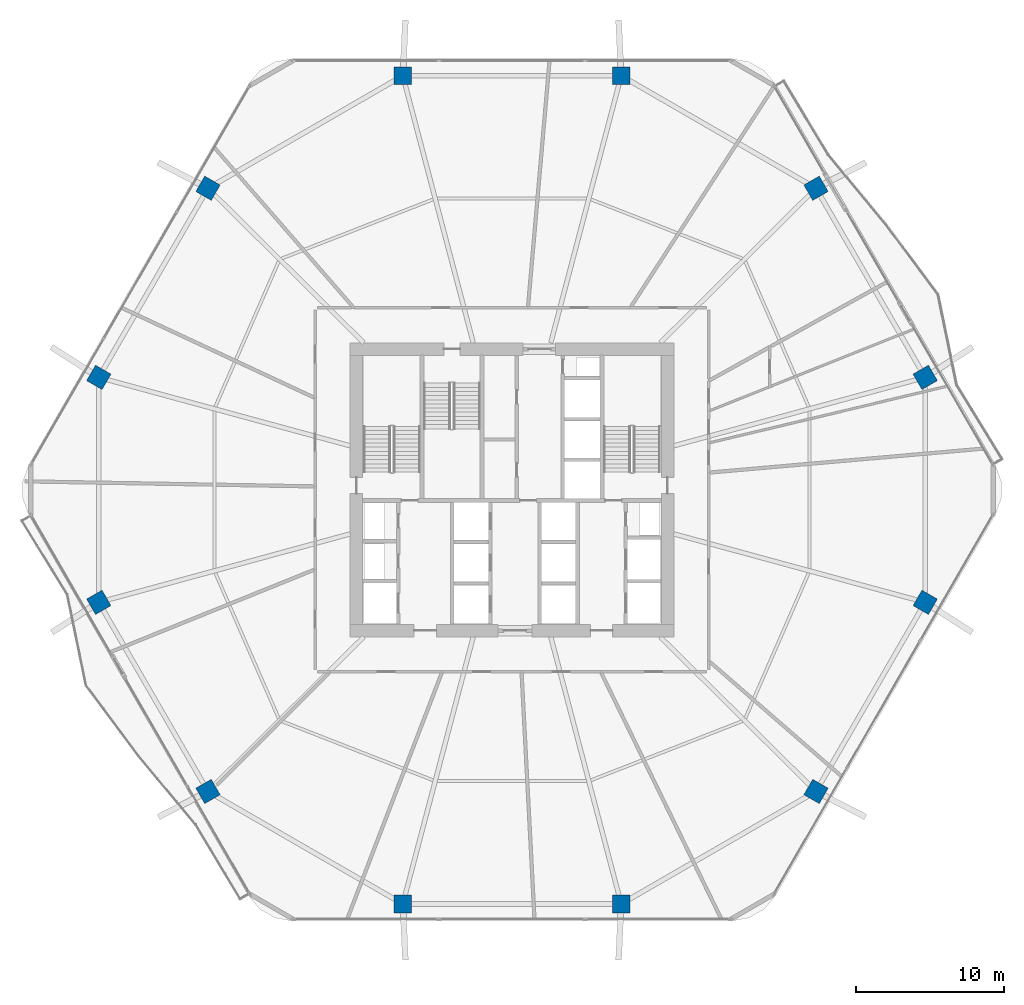
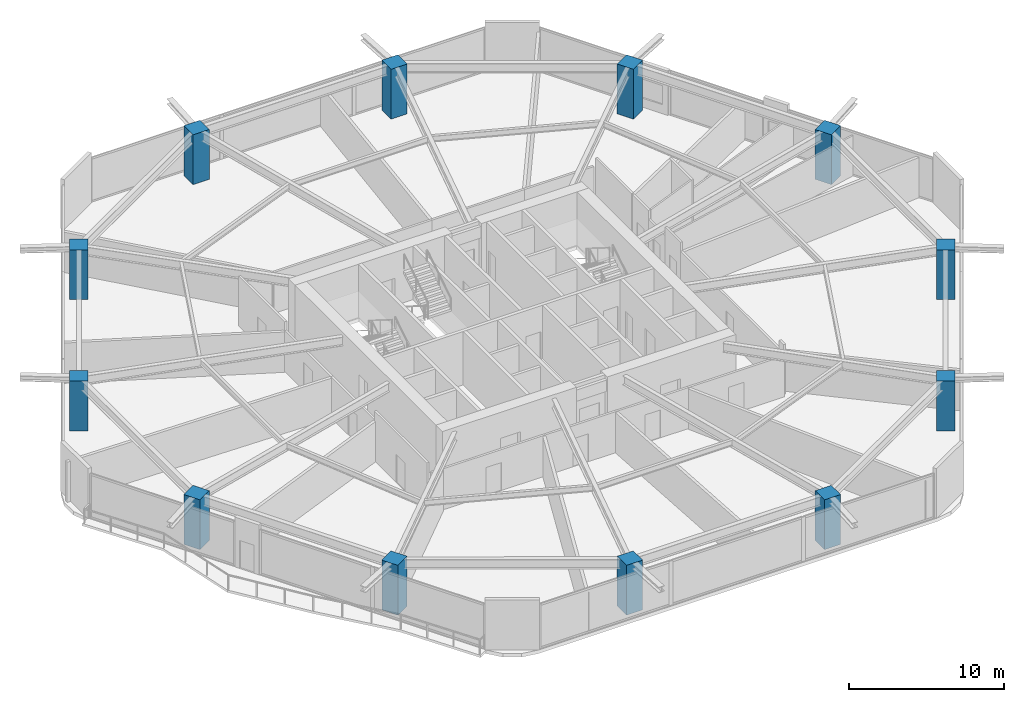
# One storey, part 1 of 27: 12 columns.
"""IFC4 building model written with IfcOpenShell, lengths in metres."""

from ifc_helpers import new_model, si_unit, direction, frame, origin, origin_2d, place, context, subcontext, project, spatial, rectangle, extrude, material, material_profile, profile_set, type_object, element, save


model = new_model("IFC4")

# Units and contexts
model_context = context("Model", 3, precision=1e-05, world=origin(), true_north=direction((0.0, 1.0)))
body_context = subcontext(model_context, "Body", "Model", "MODEL_VIEW")
ifc_project = project(units=[si_unit("LENGTHUNIT", "METRE"), si_unit("AREAUNIT", "SQUARE_METRE"), si_unit("VOLUMEUNIT", "CUBIC_METRE"), si_unit("PLANEANGLEUNIT", "RADIAN"), si_unit("MASSUNIT", "GRAM", prefix="KILO")], contexts=[model_context])

# Site, building, storey
site_placement = place(None, origin())
site = spatial("IfcSite", under=ifc_project, at=site_placement, CompositionType="ELEMENT")
building_placement = place(site_placement, origin())
building = spatial("IfcBuilding", under=site, at=building_placement, Name="Zuhravey Tower", CompositionType="ELEMENT")
storey_placement = place(building_placement, frame((0.0, 0.0, 12.0)))
storey = spatial("IfcBuildingStorey", under=building, at=storey_placement, Name="L03", CompositionType="ELEMENT", Elevation=12.0)

# Columns
ifc_material = material(Name="Concrete C60/75", Category="concrete")
ifc_material_profile = material_profile(ifc_material, rectangle(XDim=1.199951171875, YDim=1.199951171875, at=origin_2d()), Name="RC-1200x1200")
ifc_profile_set = profile_set([ifc_material_profile], Name="Concrete C60/75")
column_type = type_object("IfcColumnType", Name="Zone 1 Perimeter Column 1200x1200", PredefinedType="COLUMN", material=ifc_profile_set)
for number, where, z_axis, x_axis, name in (
    (1, (63.88916015625, 39.591552734375, 0.0), (0.0, 0.0, 1.0), (-0.5, 0.866025403784, 0.0), "L03 Perimeter Column PC01"),
    (2, (56.51904296875, 52.35693359375, 0.0), (0.0, 0.0, 1.0), (-0.5, 0.866025403784, 0.0), "L03 Perimeter Column PC02"),
    (3, (43.3701171875, 59.948486328125, 0.0), (0.0, 0.0, 1.0), (-1.0, 0.0, 0.0), "L03 Perimeter Column PC03"),
    (4, (28.6298828125, 59.948486328125, 0.0), (0.0, 0.0, 1.0), (-1.0, 0.0, 0.0), "L03 Perimeter Column PC04"),
    (5, (15.48095703125, 52.35693359375, 0.0), (0.0, 0.0, 1.0), (-0.5, -0.866025403784, 0.0), "L03 Perimeter Column PC05"),
    (6, (8.11083984375, 39.591552734375, 0.0), (0.0, 0.0, 1.0), (-0.5, -0.866025403784, 0.0), "L03 Perimeter Column PC06"),
    (7, (8.11083984375, 24.408447265625, 0.0), (0.0, 0.0, 1.0), (0.5, -0.866025403784, 0.0), "L03 Perimeter Column PC07"),
    (8, (15.48095703125, 11.64306640625, 0.0), (0.0, 0.0, 1.0), (0.5, -0.866025403784, 0.0), "L03 Perimeter Column PC08"),
    (9, (28.6298828125, 4.051513671875, 0.0), (0.0, 0.0, 1.0), (1.0, 0.0, 0.0), "L03 Perimeter Column PC09"),
    (10, (43.3701171875, 4.051513671875, 0.0), (0.0, 0.0, 1.0), (1.0, 0.0, 0.0), "L03 Perimeter Column PC10"),
    (11, (56.51904296875, 11.64306640625, 0.0), (0.0, 0.0, 1.0), (0.5, 0.866025403784, 0.0), "L03 Perimeter Column PC11"),
    (12, (63.88916015625, 24.408447265625, 0.0), (0.0, 0.0, 1.0), (0.5, 0.866025403784, 0.0), "L03 Perimeter Column PC12"),
):
    element("IfcColumn", number, at=place(storey_placement, frame(where, z_axis=z_axis, x_axis=x_axis)), inside=storey, type_object=column_type, Name=name, PredefinedType="COLUMN", context=body_context, shape_type="SweptSolid", body=[
        extrude(rectangle(XDim=1.199951171875, YDim=1.199951171875, at=origin_2d()), origin(), (0.0, 0.0, 1.0), 3.919921875),
    ])

save(model, "model.ifc")
